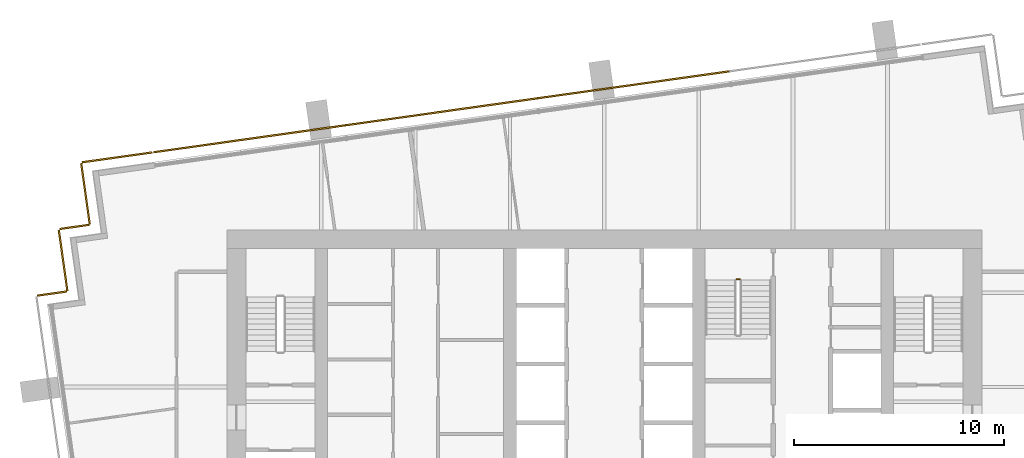
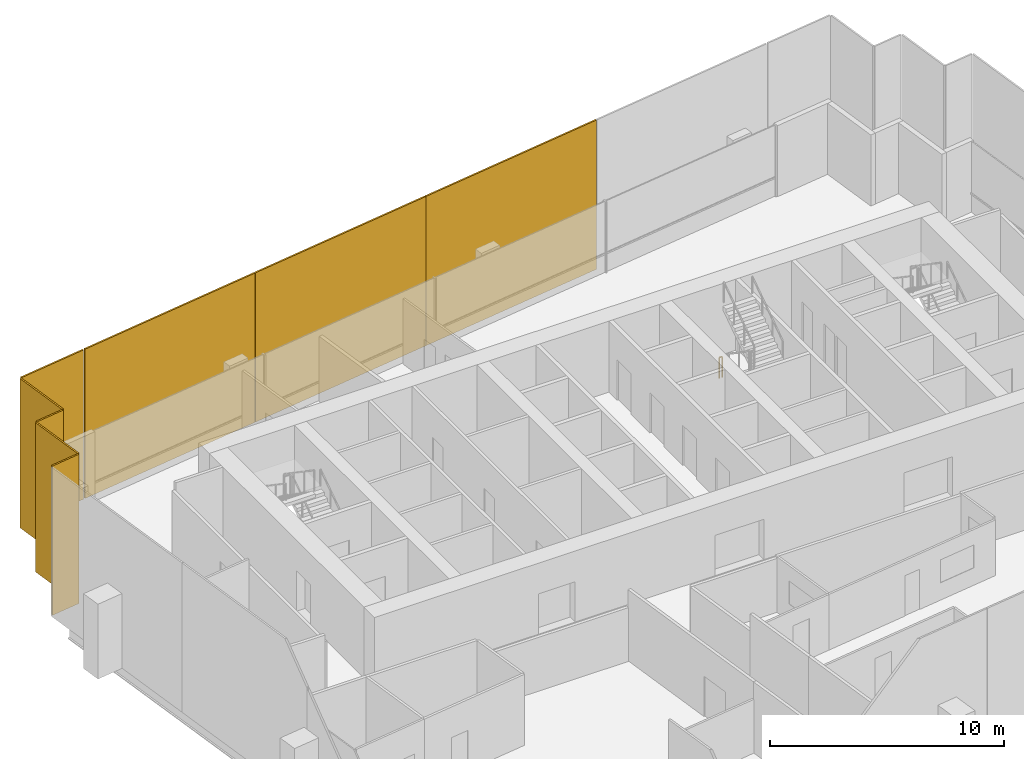
# One storey, part 14 of 15: 8 coverings, 1 railing.
"""IFC4 building model written with IfcOpenShell, lengths in metres."""

from ifc_helpers import new_model, si_unit, direction, frame, origin, origin_2d, place, context, subcontext, project, spatial, rectangle, extrude, material, layer, layer_set, type_object, element, save


model = new_model("IFC4")

# Units and contexts
model_context = context("Model", 3, precision=1e-05, world=origin(), true_north=direction((0.0, 1.0)))
body_context = subcontext(model_context, "Body", "Model", "MODEL_VIEW")
ifc_project = project(units=[si_unit("LENGTHUNIT", "METRE"), si_unit("AREAUNIT", "SQUARE_METRE"), si_unit("VOLUMEUNIT", "CUBIC_METRE"), si_unit("PLANEANGLEUNIT", "RADIAN"), si_unit("MASSUNIT", "GRAM", prefix="KILO")], contexts=[model_context])

# Site, building, storey
site_placement = place(None, origin())
site = spatial("IfcSite", under=ifc_project, at=site_placement, CompositionType="ELEMENT")
building_placement = place(site_placement, origin())
building = spatial("IfcBuilding", under=site, at=building_placement, Name="Rattan Terrace Tower", CompositionType="ELEMENT")
storey_placement = place(building_placement, frame((0.0, 0.0, 255.10009765625)))
storey = spatial("IfcBuildingStorey", under=building, at=storey_placement, Name="L58", CompositionType="ELEMENT", Elevation=255.10009765625)

# Railing
ifc_material_1 = material(Name="Powder-coated steel guard", Category="steel")
railing_type = type_object("IfcRailingType", Name="Core stair guard", PredefinedType="GUARDRAIL", material=ifc_material_1)
railing_placement = place(storey_placement, frame((6.300048828125, 5.14990234375, 0.0)))
element("IfcRailing", 1, at=railing_placement, inside=storey, type_object=railing_type, Name="L58 S3 stair guard 4", PredefinedType="GUARDRAIL", context=body_context, shape_type="SweptSolid", body=[
    extrude(rectangle(XDim=0.048095703125, YDim=0.048095703125, at=origin_2d()), frame((0.0, 0.0, 1.076171875), z_axis=(1.0, 0.0, 0.0), x_axis=(0.0, 1.0, 0.0)), (0.0, 0.0, 1.0), 0.14990234375),
    extrude(rectangle(XDim=0.0419921875, YDim=0.0419921875, at=origin_2d()), origin(), (0.0, 0.0, 1.0), 1.052001953125),
    extrude(rectangle(XDim=0.0419921875, YDim=0.0419921875, at=origin_2d()), frame((0.14990234375, 0.0, 0.0)), (0.0, 0.0, 1.0), 1.052001953125),
])

# Coverings
ifc_material_2 = material(Name="Perforated terracotta", Category="masonry")
ifc_layer = layer(ifc_material_2, 0.080078125)
ifc_layer_set = layer_set([ifc_layer], Name="Facade Terracotta Screen Panel HZ")
covering_type = type_object("IfcCoveringType", Name="Facade Terracotta Screen Panel HZ", PredefinedType="CLADDING", material=ifc_layer_set)
for number, where, z_axis, x_axis, name in (
    (2, (1.37353515625, 14.41455078125, -0.18994140625), (0.0, 0.0, 1.0), (-0.990265894013, -0.139188574079, 0.0), "OUTER SKIN panel L58-15"),
    (3, (-7.785400390625, 13.127197265625, -0.18994140625), (0.0, 0.0, 1.0), (-0.990265894013, -0.139188574079, 0.0), "OUTER SKIN panel L58-16"),
):
    element("IfcCovering", number, at=place(storey_placement, frame(where, z_axis=z_axis, x_axis=x_axis)), inside=storey, type_object=covering_type, Name=name, PredefinedType="CLADDING", context=body_context, shape_type="SweptSolid", body=[
        extrude(rectangle(XDim=9.22900390625, YDim=0.080078125, at=origin_2d()), origin(), (0.0, 0.0, 1.0), 7.780029296875),
    ])
covering_1_placement = place(storey_placement, frame((-16.931640625, 11.841552734375, -0.18994140625), z_axis=(0.0, 0.0, 1.0), x_axis=(-0.990265894013, -0.139188574079, 0.0)))
element("IfcCovering", 4, at=covering_1_placement, inside=storey, type_object=covering_type, Name="OUTER SKIN panel L58-17", PredefinedType="CLADDING", context=body_context, shape_type="SweptSolid", body=[
    extrude(rectangle(XDim=9.203125, YDim=0.080078125, at=origin_2d()), origin(), (0.0, 0.0, 1.0), 7.780029296875),
])
covering_2_placement = place(storey_placement, frame((-23.236328125, 10.955810546875, -0.18994140625), z_axis=(0.0, 0.0, 1.0), x_axis=(-0.990293172258, -0.138994363123, 0.0)))
element("IfcCovering", 5, at=covering_2_placement, inside=storey, type_object=covering_type, Name="OUTER SKIN panel L58-18", PredefinedType="CLADDING", context=body_context, shape_type="SweptSolid", body=[
    extrude(rectangle(XDim=3.3701171875, YDim=0.080078125, at=origin_2d()), origin(), (0.0, 0.0, 1.0), 7.780029296875),
])
covering_3_placement = place(storey_placement, frame((-24.74462890625, 9.218994140625, -0.18994140625), z_axis=(0.0, 0.0, 1.0), x_axis=(0.138994363123, -0.990293172258, 0.0)))
element("IfcCovering", 6, at=covering_3_placement, inside=storey, type_object=covering_type, Name="OUTER SKIN panel L58-19", PredefinedType="CLADDING", context=body_context, shape_type="SweptSolid", body=[
    extrude(rectangle(XDim=2.92041015625, YDim=0.080078125, at=origin_2d()), origin(), (0.0, 0.0, 1.0), 7.780029296875),
])
covering_4_placement = place(storey_placement, frame((-25.27001953125, 7.640380859375, -0.18994140625), z_axis=(0.0, 0.0, 1.0), x_axis=(-0.990240767803, -0.139367219175, 0.0)))
element("IfcCovering", 7, at=covering_4_placement, inside=storey, type_object=covering_type, Name="OUTER SKIN panel L58-20", PredefinedType="CLADDING", context=body_context, shape_type="SweptSolid", body=[
    extrude(rectangle(XDim=1.419921875, YDim=0.080078125, at=origin_2d()), origin(), (0.0, 0.0, 1.0), 7.780029296875),
])
covering_5_placement = place(storey_placement, frame((-25.812255859375, 6.03955078125, -0.18994140625), z_axis=(0.0, 0.0, 1.0), x_axis=(0.139367219175, -0.990240767803, 0.0)))
element("IfcCovering", 8, at=covering_5_placement, inside=storey, type_object=covering_type, Name="OUTER SKIN panel L58-21", PredefinedType="CLADDING", context=body_context, shape_type="SweptSolid", body=[
    extrude(rectangle(XDim=2.919189453125, YDim=0.080078125, at=origin_2d()), origin(), (0.0, 0.0, 1.0), 7.780029296875),
])
covering_6_placement = place(storey_placement, frame((-26.337646484375, 4.46142578125, -0.18994140625), z_axis=(0.0, 0.0, 1.0), x_axis=(-0.99025370695, -0.139275252184, 0.0)))
element("IfcCovering", 9, at=covering_6_placement, inside=storey, type_object=covering_type, Name="OUTER SKIN panel L58-22", PredefinedType="CLADDING", context=body_context, shape_type="SweptSolid", body=[
    extrude(rectangle(XDim=1.420654296875, YDim=0.080078125, at=origin_2d()), origin(), (0.0, 0.0, 1.0), 7.780029296875),
])

save(model, "model.ifc")
